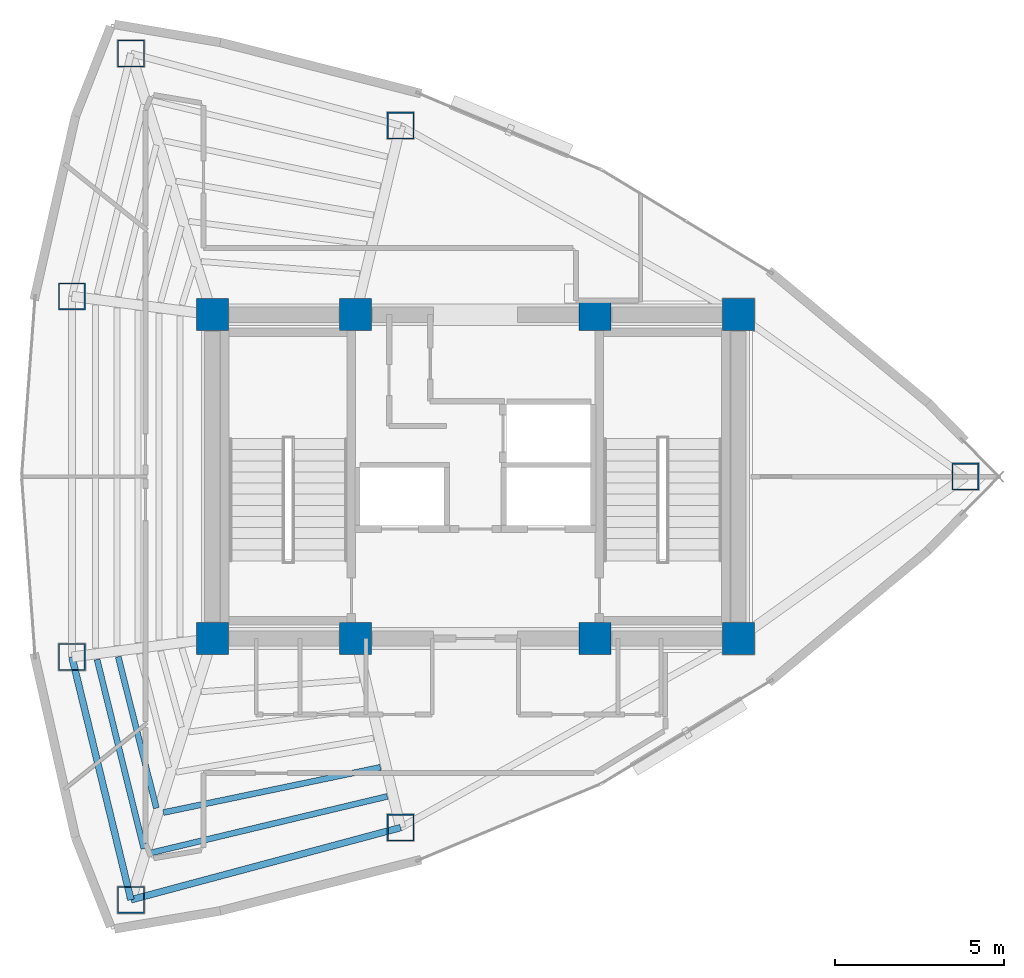
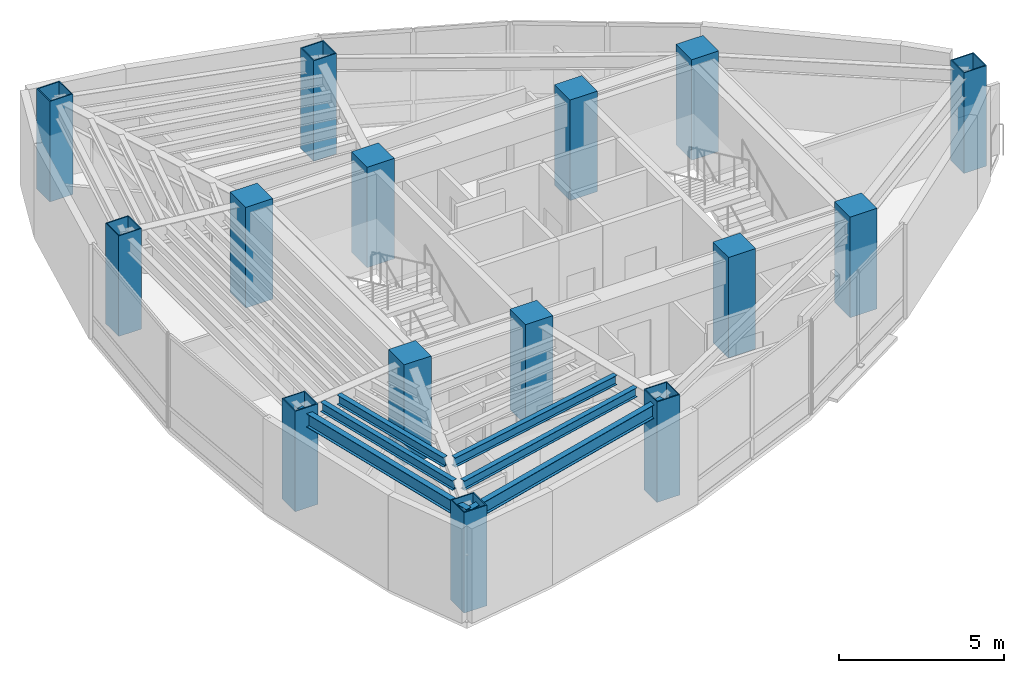
# One storey, part 1 of 15: 15 columns, 6 beams.
"""IFC4 building model written with IfcOpenShell, lengths in metres."""

from ifc_helpers import new_model, si_unit, direction, frame, origin, origin_2d, place, context, subcontext, project, spatial, rectangle, hollow_rectangle, i_section, extrude, material, material_profile, profile_set, type_object, element, save


model = new_model("IFC4")

# Units and contexts
model_context = context("Model", 3, precision=1e-05, world=origin(), true_north=direction((0.0, 1.0)))
body_context = subcontext(model_context, "Body", "Model", "MODEL_VIEW")
ifc_project = project(units=[si_unit("LENGTHUNIT", "METRE"), si_unit("AREAUNIT", "SQUARE_METRE"), si_unit("VOLUMEUNIT", "CUBIC_METRE"), si_unit("PLANEANGLEUNIT", "RADIAN"), si_unit("MASSUNIT", "GRAM", prefix="KILO")], contexts=[model_context])

# Site, building, storey
site_placement = place(None, origin())
site = spatial("IfcSite", under=ifc_project, at=site_placement, CompositionType="ELEMENT")
building_placement = place(site_placement, origin())
building = spatial("IfcBuilding", under=site, at=building_placement, Name="Menara Vayukalpa", CompositionType="ELEMENT")
storey_placement = place(building_placement, frame((0.0, 0.0, 262.02001953125)))
storey = spatial("IfcBuildingStorey", under=building, at=storey_placement, Name="L66", CompositionType="ELEMENT", Elevation=262.02001953125)

# Columns
ifc_material_1 = material(Name="Concrete C60/75", Category="concrete")
ifc_material_profile_1 = material_profile(ifc_material_1, rectangle(XDim=0.949951171875, YDim=0.949951171875, at=origin_2d()), Name="RC 950x950")
ifc_profile_set_1 = profile_set([ifc_material_profile_1], Name="Concrete C60/75")
column_type_1 = type_object("IfcColumnType", Name="COL-CC2", PredefinedType="COLUMN", material=ifc_profile_set_1)
for number, where, z_axis, x_axis, name in (
    (1, (17.800048828125, 17.199951171875, 0.0), (0.0, 0.0, 1.0), (1.0, 0.0, 0.0), "L66 Core Pilaster Column CC1"),
    (2, (22.050048828125, 17.199951171875, 0.0), (0.0, 0.0, 1.0), (1.0, 0.0, 0.0), "L66 Core Pilaster Column CC2"),
    (3, (29.14990234375, 17.199951171875, 0.0), (0.0, 0.0, 1.0), (1.0, 0.0, 0.0), "L66 Core Pilaster Column CC3"),
    (4, (33.39990234375, 17.199951171875, 0.0), (0.0, 0.0, 1.0), (1.0, 0.0, 0.0), "L66 Core Pilaster Column CC4"),
    (5, (17.800048828125, 26.800048828125, 0.0), (0.0, 0.0, 1.0), (1.0, 0.0, 0.0), "L66 Core Pilaster Column CC5"),
    (6, (22.050048828125, 26.800048828125, 0.0), (0.0, 0.0, 1.0), (1.0, 0.0, 0.0), "L66 Core Pilaster Column CC6"),
    (7, (29.14990234375, 26.800048828125, 0.0), (0.0, 0.0, 1.0), (1.0, 0.0, 0.0), "L66 Core Pilaster Column CC7"),
    (8, (33.39990234375, 26.800048828125, 0.0), (0.0, 0.0, 1.0), (1.0, 0.0, 0.0), "L66 Core Pilaster Column CC8"),
):
    element("IfcColumn", number, at=place(storey_placement, frame(where, z_axis=z_axis, x_axis=x_axis)), inside=storey, type_object=column_type_1, Name=name, PredefinedType="COLUMN", context=body_context, shape_type="SweptSolid", body=[
        extrude(rectangle(XDim=0.949951171875, YDim=0.949951171875, at=origin_2d()), origin(), (0.0, 0.0, 1.0), 3.719970703125),
    ])
ifc_material_2 = material(Name="Steel S355", Category="steel")
ifc_material_profile_2 = material_profile(ifc_material_2, hollow_rectangle(XDim=0.800048828125, YDim=0.800048828125, WallThickness=0.034912109375, at=origin_2d()), Name="BOX 800x800x35")
ifc_profile_set_2 = profile_set([ifc_material_profile_2], Name="Steel S355")
column_type_2 = type_object("IfcColumnType", Name="COL-MC5", PredefinedType="COLUMN", material=ifc_profile_set_2)
for number, where, z_axis, x_axis, name in (
    (9, (40.121826171875, 22.0, 0.0), (0.0, 0.0, 1.0), (1.0, 0.0, 0.0), "L66 Perimeter Mega Column P01"),
    (10, (23.3818359375, 32.40478515625, 0.0), (0.0, 0.0, 1.0), (1.0, 0.0, 0.0), "L66 Perimeter Mega Column P03"),
    (11, (15.38916015625, 34.544677734375, 0.0), (0.0, 0.0, 1.0), (1.0, 0.0, 0.0), "L66 Perimeter Mega Column P04"),
    (12, (13.638916015625, 27.3466796875, 0.0), (0.0, 0.0, 1.0), (1.0, 0.0, 0.0), "L66 Perimeter Mega Column P05"),
    (13, (13.638916015625, 16.6533203125, 0.0), (0.0, 0.0, 1.0), (1.0, 0.0, 0.0), "L66 Perimeter Mega Column P06"),
    (14, (15.38916015625, 9.455322265625, 0.0), (0.0, 0.0, 1.0), (1.0, 0.0, 0.0), "L66 Perimeter Mega Column P07"),
    (15, (23.3818359375, 11.59521484375, 0.0), (0.0, 0.0, 1.0), (1.0, 0.0, 0.0), "L66 Perimeter Mega Column P08"),
):
    element("IfcColumn", number, at=place(storey_placement, frame(where, z_axis=z_axis, x_axis=x_axis)), inside=storey, type_object=column_type_2, Name=name, PredefinedType="COLUMN", context=body_context, shape_type="SweptSolid", body=[
        extrude(hollow_rectangle(XDim=0.800048828125, YDim=0.800048828125, WallThickness=0.034912109375, at=origin_2d()), origin(), (0.0, 0.0, 1.0), 3.719970703125),
    ])

# Beams
ifc_material_3 = material(Name="Steel S355", Category="steel")
ifc_material_profile_3 = material_profile(ifc_material_3, i_section(OverallWidth=0.175048828125, OverallDepth=0.35009765625, WebThickness=0.007080078125, FlangeThickness=0.010986328125, at=origin_2d()), Name="WF 350x175x7x11")
ifc_profile_set_3 = profile_set([ifc_material_profile_3], Name="Steel S355")
beam_type_1 = type_object("IfcBeamType", Name="BM-SJ3", PredefinedType="JOIST", material=ifc_profile_set_3)
beam_1_placement = place(storey_placement, frame((15.010986328125, 16.6630859375, 3.324951171875), z_axis=(0.244247063973, -0.969713035769, 0.0), x_axis=(0.969713035769, 0.244247063973, 0.0)))
element("IfcBeam", 16, at=beam_1_placement, inside=storey, type_object=beam_type_1, Name="L66 Secondary Floor Joist SJ06-4", PredefinedType="JOIST", context=body_context, shape_type="SweptSolid", body=[
    extrude(i_section(OverallWidth=0.175048828125, OverallDepth=0.35009765625, WebThickness=0.007080078125, FlangeThickness=0.010986328125, at=origin_2d()), origin(), (0.0, 0.0, 1.0), 4.630859375),
])
beam_2_placement = place(storey_placement, frame((14.384033203125, 16.580810546875, 3.324951171875), z_axis=(0.239671161383, -0.970854126222, 0.0), x_axis=(0.970854126222, 0.239671161383, 0.0)))
element("IfcBeam", 17, at=beam_2_placement, inside=storey, type_object=beam_type_1, Name="L66 Secondary Floor Joist SJ06-5", PredefinedType="JOIST", context=body_context, shape_type="SweptSolid", body=[
    extrude(i_section(OverallWidth=0.175048828125, OverallDepth=0.35009765625, WebThickness=0.007080078125, FlangeThickness=0.010986328125, at=origin_2d()), origin(), (0.0, 0.0, 1.0), 5.77783203125),
])
beam_3_placement = place(storey_placement, frame((16.35009765625, 12.0419921875, 3.324951171875), z_axis=(0.978941451827, 0.204141210671, 0.0), x_axis=(-0.204141210671, 0.978941451827, 0.0)))
element("IfcBeam", 18, at=beam_3_placement, inside=storey, type_object=beam_type_1, Name="L66 Secondary Floor Joist SJ07-4", PredefinedType="JOIST", context=body_context, shape_type="SweptSolid", body=[
    extrude(i_section(OverallWidth=0.175048828125, OverallDepth=0.35009765625, WebThickness=0.007080078125, FlangeThickness=0.010986328125, at=origin_2d()), origin(), (0.0, 0.0, 1.0), 6.570556640625),
])
beam_4_placement = place(storey_placement, frame((15.97509765625, 10.845947265625, 3.324951171875), z_axis=(0.972642465748, 0.232307197097, 0.0), x_axis=(-0.232307197097, 0.972642465748, 0.0)))
element("IfcBeam", 19, at=beam_4_placement, inside=storey, type_object=beam_type_1, Name="L66 Secondary Floor Joist SJ07-5", PredefinedType="JOIST", context=body_context, shape_type="SweptSolid", body=[
    extrude(i_section(OverallWidth=0.175048828125, OverallDepth=0.35009765625, WebThickness=0.007080078125, FlangeThickness=0.010986328125, at=origin_2d()), origin(), (0.0, 0.0, 1.0), 7.20947265625),
])
ifc_material_4 = material(Name="Steel S355", Category="steel")
ifc_material_profile_4 = material_profile(ifc_material_4, i_section(OverallWidth=0.199951171875, OverallDepth=0.5, WebThickness=0.010009765625, FlangeThickness=0.01611328125, at=origin_2d()), Name="WF 500x200x10x16")
ifc_profile_set_4 = profile_set([ifc_material_profile_4], Name="Steel S355")
beam_type_2 = type_object("IfcBeamType", Name="BM-SP3", PredefinedType="SPANDREL", material=ifc_profile_set_4)
beam_5_placement = place(storey_placement, frame((13.638916015625, 16.6533203125, 3.25), z_axis=(0.236272525754, -0.97168682896, 0.0), x_axis=(0.97168682896, 0.236272525754, 0.0)))
element("IfcBeam", 20, at=beam_5_placement, inside=storey, type_object=beam_type_2, Name="L66 Perimeter Spandrel Beam SP06", PredefinedType="SPANDREL", context=body_context, shape_type="SweptSolid", body=[
    extrude(i_section(OverallWidth=0.199951171875, OverallDepth=0.5, WebThickness=0.010009765625, FlangeThickness=0.01611328125, at=origin_2d()), origin(), (0.0, 0.0, 1.0), 7.40771484375),
])
beam_6_placement = place(storey_placement, frame((15.38916015625, 9.455322265625, 3.25), z_axis=(0.965978332552, 0.258623009494, 0.0), x_axis=(-0.258623009494, 0.965978332552, 0.0)))
element("IfcBeam", 21, at=beam_6_placement, inside=storey, type_object=beam_type_2, Name="L66 Perimeter Spandrel Beam SP07", PredefinedType="SPANDREL", context=body_context, shape_type="SweptSolid", body=[
    extrude(i_section(OverallWidth=0.199951171875, OverallDepth=0.5, WebThickness=0.010009765625, FlangeThickness=0.01611328125, at=origin_2d()), origin(), (0.0, 0.0, 1.0), 8.274169921875),
])

save(model, "model.ifc")
